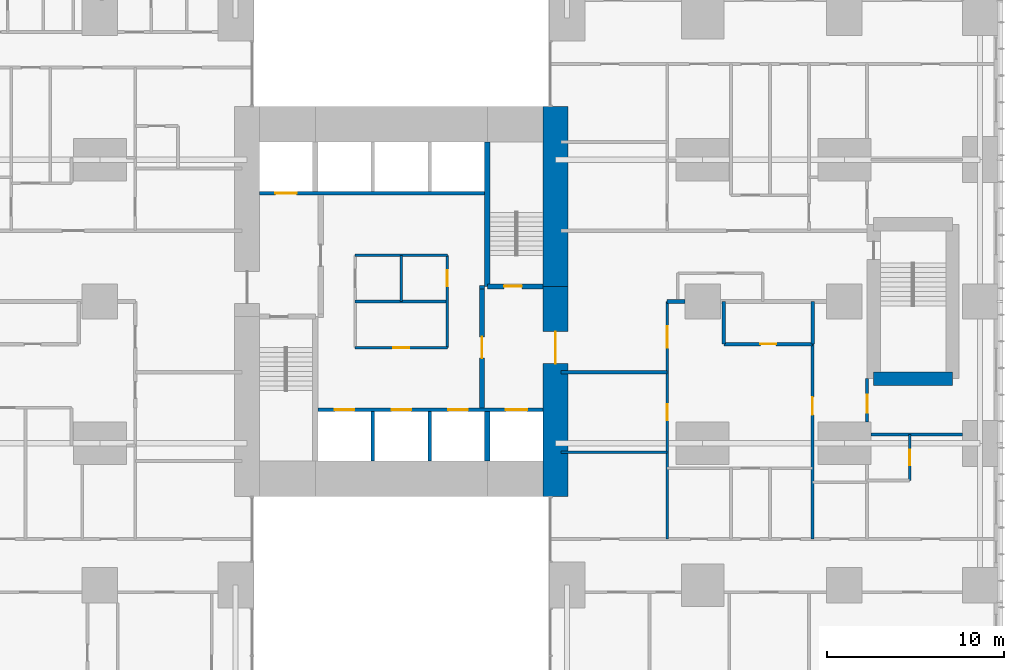
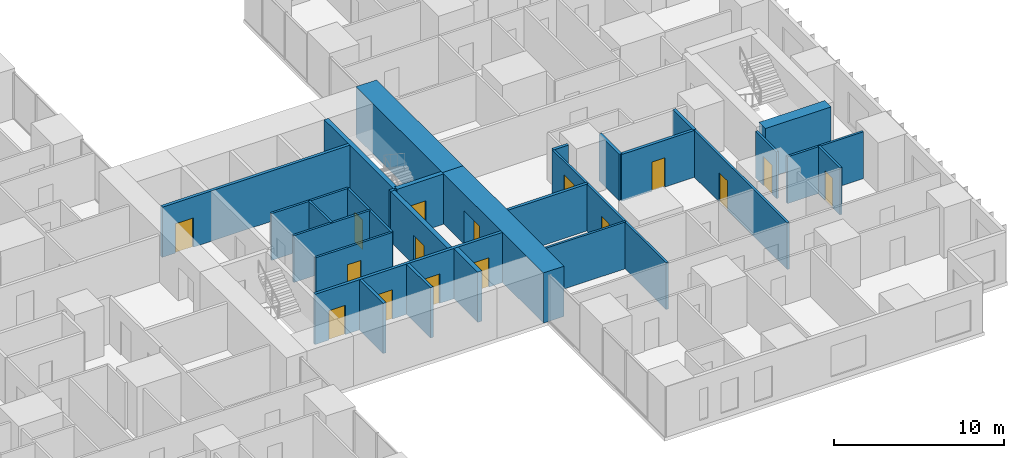
# One storey, part 15 of 20: 28 walls, 16 doors, 16 openings.
"""IFC4 building model written with IfcOpenShell, lengths in metres."""

from ifc_helpers import new_model, si_unit, direction, frame, frame_2d, origin, place, context, subcontext, project, spatial, rectangle, extrude, material, layer, layer_set, type_object, element, fill, save


model = new_model("IFC4")

# Units and contexts
model_context = context("Model", 3, precision=1e-05, world=origin(), true_north=direction((0.0, 1.0)))
body_context = subcontext(model_context, "Body", "Model", "MODEL_VIEW")
ifc_project = project(units=[si_unit("LENGTHUNIT", "METRE"), si_unit("AREAUNIT", "SQUARE_METRE"), si_unit("VOLUMEUNIT", "CUBIC_METRE"), si_unit("PLANEANGLEUNIT", "RADIAN"), si_unit("MASSUNIT", "GRAM", prefix="KILO")], contexts=[model_context])

# Site, building, storey
site_placement = place(None, origin())
site = spatial("IfcSite", under=ifc_project, at=site_placement, CompositionType="ELEMENT")
building_placement = place(site_placement, origin())
building = spatial("IfcBuilding", under=site, at=building_placement, Name="Cleftline Residences", CompositionType="ELEMENT")
storey_placement = place(building_placement, frame((0.0, 0.0, 107.0)))
storey = spatial("IfcBuildingStorey", under=building, at=storey_placement, Name="L27", CompositionType="ELEMENT", Elevation=107.0)

# Wall, opening, door
ifc_material_1 = material(Name="Concrete B70", Category="concrete")
ifc_layer_1 = layer(ifc_material_1, 1.39990234375)
ifc_layer_set_1 = layer_set([ifc_layer_1], Name="CORE WALL 1400")
wall_type_1 = type_object("IfcWallType", Name="CORE WALL 1400", PredefinedType="SHEAR", material=ifc_layer_set_1)
wall_1_placement = place(storey_placement, frame((41.699951171875, 13.0, 0.0), z_axis=(0.0, 0.0, 1.0), x_axis=(0.0, 1.0, 0.0)))
wall_1 = element("IfcWall", 1, at=wall_1_placement, inside=storey, type_object=wall_type_1, Name="Core wall E", PredefinedType="SHEAR", context=body_context, shape_type="SweptSolid", body=[
    extrude(rectangle(XDim=11.85009765625, YDim=1.39990234375, at=frame_2d((5.925048828125, 0.0))), origin(), (0.0, 0.0, 1.0), 3.60009765625),
])
opening_1_placement = place(wall_1_placement, frame((7.5, 0.0, 0.0)))
opening_1 = element("IfcOpeningElement", 2, at=opening_1_placement, cuts=wall_1, Name="Opening D7", PredefinedType="OPENING", context=body_context, shape_type="SweptSolid", body=[
    extrude(rectangle(XDim=1.800048828125, YDim=2.39990234375, at=frame_2d((0.89990234375, 1.199951171875))), frame((0.0, 0.7099609375, 0.0), z_axis=(0.0, -1.0, 0.0), x_axis=(1.0, 0.0, 0.0)), (0.0, 0.0, 1.0), 1.419921875),
])
ifc_material_2 = material(Name="Steel", Category="steel")
door_type_1 = type_object("IfcDoorType", Name="WING DOOR 1800X2400", OperationType="DOUBLE_DOOR_DOUBLE_SWING", PredefinedType="DOOR", material=ifc_material_2)
door_1_placement = place(opening_1_placement, origin())
door_1 = element("IfcDoor", 3, at=door_1_placement, inside=storey, type_object=door_type_1, Name="East wing door", OperationType="DOUBLE_DOOR_DOUBLE_SWING", OverallHeight=2.39990234375, OverallWidth=1.800048828125, PredefinedType="DOOR", context=body_context, shape_type="SweptSolid", body=[
    extrude(rectangle(XDim=1.800048828125, YDim=2.39990234375, at=frame_2d((0.89990234375, 1.199951171875))), frame((0.0, 0.02490234375, 0.0), z_axis=(0.0, -1.0, 0.0), x_axis=(1.0, 0.0, 0.0)), (0.0, 0.0, 1.0), 0.050048828125),
])
fill(opening_1, door_1)

# Walls
wall_2_placement = place(storey_placement, frame((41.699951171875, 24.85009765625, 0.0), z_axis=(0.0, 0.0, 1.0), x_axis=(0.0, 1.0, 0.0)))
element("IfcWall", 4, at=wall_2_placement, inside=storey, type_object=wall_type_1, Name="Core wall E1", PredefinedType="SHEAR", context=body_context, shape_type="SweptSolid", body=[
    extrude(rectangle(XDim=10.14990234375, YDim=1.39990234375, at=frame_2d((5.074951171875, 0.0))), origin(), (0.0, 0.0, 1.0), 3.60009765625),
])
ifc_material_3 = material(Name="Concrete B70", Category="concrete")
ifc_layer_2 = layer(ifc_material_3, 0.300048828125)
ifc_layer_set_2 = layer_set([ifc_layer_2], Name="CORE WALL 300")
wall_type_2 = type_object("IfcWallType", Name="CORE WALL 300", PredefinedType="SHEAR", material=ifc_layer_set_2)
wall_3_placement = place(storey_placement, frame((37.85009765625, 24.85009765625, 0.0), z_axis=(0.0, 0.0, 1.0), x_axis=(0.0, 1.0, 0.0)))
element("IfcWall", 5, at=wall_3_placement, inside=storey, type_object=wall_type_2, Name="Core wall SB-W", PredefinedType="SHEAR", context=body_context, shape_type="SweptSolid", body=[
    extrude(rectangle(XDim=8.14990234375, YDim=0.300048828125, at=frame_2d((4.074951171875, 0.0))), origin(), (0.0, 0.0, 1.0), 3.60009765625),
])

# Wall, opening, door
wall_4_placement = place(storey_placement, frame((37.85009765625, 24.85009765625, 0.0), z_axis=(0.0, 0.0, 1.0), x_axis=(1.0, 0.0, 0.0)))
wall_4 = element("IfcWall", 6, at=wall_4_placement, inside=storey, type_object=wall_type_2, Name="Core wall SB-S", PredefinedType="SHEAR", context=body_context, shape_type="SweptSolid", body=[
    extrude(rectangle(XDim=3.14990234375, YDim=0.300048828125, at=frame_2d((1.574951171875, 0.0))), origin(), (0.0, 0.0, 1.0), 3.60009765625),
])
opening_2_placement = place(wall_4_placement, frame((0.949951171875, 0.0, 0.0)))
opening_2 = element("IfcOpeningElement", 7, at=opening_2_placement, cuts=wall_4, Name="Opening D5", PredefinedType="OPENING", context=body_context, shape_type="SweptSolid", body=[
    extrude(rectangle(XDim=1.0, YDim=2.10009765625, at=frame_2d((0.5, 1.050048828125))), frame((0.0, 0.159912109375, 0.0), z_axis=(0.0, -1.0, 0.0), x_axis=(1.0, 0.0, 0.0)), (0.0, 0.0, 1.0), 0.320068359375),
])
ifc_material_4 = material(Name="Steel", Category="steel")
door_type_2 = type_object("IfcDoorType", Name="STAIR DOOR 1000X2100", OperationType="SINGLE_SWING_LEFT", PredefinedType="DOOR", material=ifc_material_4)
door_2_placement = place(opening_2_placement, origin())
door_2 = element("IfcDoor", 8, at=door_2_placement, inside=storey, type_object=door_type_2, Name="Stair B door", OperationType="SINGLE_SWING_RIGHT", OverallHeight=2.10009765625, OverallWidth=1.0, PredefinedType="DOOR", context=body_context, shape_type="SweptSolid", body=[
    extrude(rectangle(XDim=1.0, YDim=2.10009765625, at=frame_2d((0.5, 1.050048828125))), frame((0.0, 0.02490234375, 0.0), z_axis=(0.0, -1.0, 0.0), x_axis=(1.0, 0.0, 0.0)), (0.0, 0.0, 1.0), 0.050048828125),
])
fill(opening_2, door_2)

# Walls
wall_5_placement = place(storey_placement, frame((37.85009765625, 15.0, 0.0), z_axis=(0.0, 0.0, 1.0), x_axis=(0.0, 1.0, 0.0)))
element("IfcWall", 9, at=wall_5_placement, inside=storey, type_object=wall_type_2, Name="Lift shaft wall", PredefinedType="SHEAR", context=body_context, shape_type="SweptSolid", body=[
    extrude(rectangle(XDim=2.800048828125, YDim=0.300048828125, at=frame_2d((1.39990234375, 0.0))), origin(), (0.0, 0.0, 1.0), 3.60009765625),
])
ifc_material_5 = material(Name="Concrete blockwork, fire rated", Category="masonry")
ifc_layer_3 = layer(ifc_material_5, 0.199951171875)
ifc_layer_set_3 = layer_set([ifc_layer_3], Name="FIRE WALL 200")
wall_type_3 = type_object("IfcWallType", Name="FIRE WALL 200", PredefinedType="PARTITIONING", material=ifc_layer_set_3)
wall_6_placement = place(storey_placement, frame((42.0, 20.0, 0.0), z_axis=(0.0, 0.0, 1.0), x_axis=(1.0, 0.0, 0.0)))
element("IfcWall", 10, at=wall_6_placement, inside=storey, type_object=wall_type_3, Name="Fire separating wall", PredefinedType="PARTITIONING", context=body_context, shape_type="SweptSolid", body=[
    extrude(rectangle(XDim=6.0, YDim=0.199951171875, at=frame_2d((3.0, 0.0))), origin(), (0.0, 0.0, 1.0), 3.35009765625),
])

# Wall, opening, door
wall_7_placement = place(storey_placement, frame((51.199951171875, 21.60009765625, 0.0), z_axis=(0.0, 0.0, 1.0), x_axis=(1.0, 0.0, 0.0)))
wall_7 = element("IfcWall", 11, at=wall_7_placement, inside=storey, type_object=wall_type_3, Name="Fire separating wall", PredefinedType="PARTITIONING", context=body_context, shape_type="SweptSolid", body=[
    extrude(rectangle(XDim=5.0, YDim=0.199951171875, at=frame_2d((2.5, 0.0))), origin(), (0.0, 0.0, 1.0), 3.35009765625),
])
opening_3_placement = place(wall_7_placement, frame((2.050048828125, 0.0, 0.0)))
opening_3 = element("IfcOpeningElement", 12, at=opening_3_placement, cuts=wall_7, Name="Opening D1F30", PredefinedType="OPENING", context=body_context, shape_type="SweptSolid", body=[
    extrude(rectangle(XDim=0.89990234375, YDim=2.10009765625, at=frame_2d((0.449951171875, 1.050048828125))), frame((0.0, 0.10986328125, 0.0), z_axis=(0.0, -1.0, 0.0), x_axis=(1.0, 0.0, 0.0)), (0.0, 0.0, 1.0), 0.219970703125),
])
ifc_material_6 = material(Name="Timber veneer on solid core", Category="wood")
door_type_3 = type_object("IfcDoorType", Name="DOOR 900X2100 EI 30", OperationType="SINGLE_SWING_LEFT", PredefinedType="DOOR", material=ifc_material_6)
door_3_placement = place(opening_3_placement, origin())
door_3 = element("IfcDoor", 13, at=door_3_placement, inside=storey, type_object=door_type_3, Name="Door to cloakroom wc", OperationType="SINGLE_SWING_LEFT", OverallHeight=2.10009765625, OverallWidth=0.89990234375, PredefinedType="DOOR", context=body_context, shape_type="SweptSolid", body=[
    extrude(rectangle(XDim=0.89990234375, YDim=2.10009765625, at=frame_2d((0.449951171875, 1.050048828125))), frame((0.0, 0.02490234375, 0.0), z_axis=(0.0, -1.0, 0.0), x_axis=(1.0, 0.0, 0.0)), (0.0, 0.0, 1.0), 0.050048828125),
])
fill(opening_3, door_3)

# Walls
wall_8_placement = place(storey_placement, frame((48.0, 24.0, 0.0), z_axis=(0.0, 0.0, 1.0), x_axis=(1.0, 0.0, 0.0)))
element("IfcWall", 14, at=wall_8_placement, inside=storey, type_object=wall_type_3, Name="Fire separating wall", PredefinedType="PARTITIONING", context=body_context, shape_type="SweptSolid", body=[
    extrude(rectangle(XDim=1.0, YDim=0.199951171875, at=frame_2d((0.5, 0.0))), origin(), (0.0, 0.0, 1.0), 3.35009765625),
])
for number, where, z_axis, x_axis, name in (
    (15, (51.199951171875, 21.60009765625, 0.0), (0.0, 0.0, 1.0), (0.0, 1.0, 0.0), "Fire separating wall"),
    (16, (56.199951171875, 21.60009765625, 0.0), (0.0, 0.0, 1.0), (0.0, 1.0, 0.0), "Fire separating wall"),
):
    element("IfcWall", number, at=place(storey_placement, frame(where, z_axis=z_axis, x_axis=x_axis)), inside=storey, type_object=wall_type_3, Name=name, PredefinedType="PARTITIONING", context=body_context, shape_type="SweptSolid", body=[
        extrude(rectangle(XDim=2.39990234375, YDim=0.199951171875, at=frame_2d((1.199951171875, 0.0))), origin(), (0.0, 0.0, 1.0), 3.35009765625),
    ])
wall_9_placement = place(storey_placement, frame((37.39990234375, 24.800048828125, 0.0), z_axis=(0.0, 0.0, 1.0), x_axis=(1.0, 0.0, 0.0)))
element("IfcWall", 17, at=wall_9_placement, inside=storey, type_object=wall_type_3, Name="Fire separating wall", PredefinedType="PARTITIONING", context=body_context, shape_type="SweptSolid", body=[
    extrude(rectangle(XDim=0.300048828125, YDim=0.199951171875, at=frame_2d((0.14990234375, 0.0))), origin(), (0.0, 0.0, 1.0), 3.60009765625),
])
ifc_material_7 = material(Name="Gypsum board on steel studs", Category="steel")
ifc_layer_4 = layer(ifc_material_7, 0.14990234375)
ifc_layer_set_4 = layer_set([ifc_layer_4], Name="PARTITION 150")
wall_type_4 = type_object("IfcWallType", Name="PARTITION 150", PredefinedType="PARTITIONING", material=ifc_layer_set_4)
wall_10_placement = place(storey_placement, frame((42.0, 15.5, 0.0), z_axis=(0.0, 0.0, 1.0), x_axis=(1.0, 0.0, 0.0)))
element("IfcWall", 18, at=wall_10_placement, inside=storey, type_object=wall_type_4, Name="Partition", PredefinedType="PARTITIONING", context=body_context, shape_type="SweptSolid", body=[
    extrude(rectangle(XDim=6.0, YDim=0.14990234375, at=frame_2d((3.0, 0.0))), origin(), (0.0, 0.0, 1.0), 3.35009765625),
])
wall_11_placement = place(storey_placement, frame((59.5, 16.5, 0.0), z_axis=(0.0, 0.0, 1.0), x_axis=(1.0, 0.0, 0.0)))
element("IfcWall", 19, at=wall_11_placement, inside=storey, type_object=wall_type_4, Name="Partition", PredefinedType="PARTITIONING", context=body_context, shape_type="SweptSolid", body=[
    extrude(rectangle(XDim=5.14990234375, YDim=0.14990234375, at=frame_2d((2.574951171875, 0.0))), origin(), (0.0, 0.0, 1.0), 3.35009765625),
])

# Wall, openings, doors
wall_12_placement = place(storey_placement, frame((48.0, 10.60009765625, 0.0), z_axis=(0.0, 0.0, 1.0), x_axis=(0.0, 1.0, 0.0)))
wall_12 = element("IfcWall", 20, at=wall_12_placement, inside=storey, type_object=wall_type_4, Name="Partition", PredefinedType="PARTITIONING", context=body_context, shape_type="SweptSolid", body=[
    extrude(rectangle(XDim=13.39990234375, YDim=0.14990234375, at=frame_2d((6.699951171875, 0.0))), origin(), (0.0, 0.0, 1.0), 3.35009765625),
])
opening_4_placement = place(wall_12_placement, frame((10.800048828125, 0.0, 0.0)))
opening_4 = element("IfcOpeningElement", 21, at=opening_4_placement, cuts=wall_12, Name="Opening D4", PredefinedType="OPENING", context=body_context, shape_type="SweptSolid", body=[
    extrude(rectangle(XDim=1.199951171875, YDim=2.39990234375, at=frame_2d((0.60009765625, 1.199951171875))), frame((0.0, 0.0849609375, 0.0), z_axis=(0.0, -1.0, 0.0), x_axis=(1.0, 0.0, 0.0)), (0.0, 0.0, 1.0), 0.169921875),
])
opening_5_placement = place(wall_12_placement, frame((6.699951171875, 0.0, 0.0)))
opening_5 = element("IfcOpeningElement", 22, at=opening_5_placement, cuts=wall_12, Name="Opening D1F60", PredefinedType="OPENING", context=body_context, shape_type="SweptSolid", body=[
    extrude(rectangle(XDim=0.89990234375, YDim=2.10009765625, at=frame_2d((0.449951171875, 1.050048828125))), frame((0.0, 0.0849609375, 0.0), z_axis=(0.0, -1.0, 0.0), x_axis=(1.0, 0.0, 0.0)), (0.0, 0.0, 1.0), 0.169921875),
])
ifc_material_8 = material(Name="Timber veneer on solid core", Category="wood")
door_type_4 = type_object("IfcDoorType", Name="APARTMENT ENTRANCE DOOR 1200X2400", OperationType="SINGLE_SWING_RIGHT", PredefinedType="DOOR", material=ifc_material_8)
door_4_placement = place(opening_4_placement, origin())
door_4 = element("IfcDoor", 23, at=door_4_placement, inside=storey, type_object=door_type_4, Name="Door to residence entrance foyer", OperationType="SINGLE_SWING_LEFT", OverallHeight=2.39990234375, OverallWidth=1.199951171875, PredefinedType="DOOR", context=body_context, shape_type="SweptSolid", body=[
    extrude(rectangle(XDim=1.199951171875, YDim=2.39990234375, at=frame_2d((0.60009765625, 1.199951171875))), frame((0.0, 0.02490234375, 0.0), z_axis=(0.0, -1.0, 0.0), x_axis=(1.0, 0.0, 0.0)), (0.0, 0.0, 1.0), 0.050048828125),
])
fill(opening_4, door_4)
ifc_material_9 = material(Name="Timber veneer on solid core", Category="wood")
door_type_5 = type_object("IfcDoorType", Name="DOOR 900X2100 EI 60", OperationType="SINGLE_SWING_LEFT", PredefinedType="DOOR", material=ifc_material_9)
door_5_placement = place(opening_5_placement, origin())
door_5 = element("IfcDoor", 24, at=door_5_placement, inside=storey, type_object=door_type_5, Name="Door to utility room", OperationType="SINGLE_SWING_LEFT", OverallHeight=2.10009765625, OverallWidth=0.89990234375, PredefinedType="DOOR", context=body_context, shape_type="SweptSolid", body=[
    extrude(rectangle(XDim=0.89990234375, YDim=2.10009765625, at=frame_2d((0.449951171875, 1.050048828125))), frame((0.0, 0.02490234375, 0.0), z_axis=(0.0, -1.0, 0.0), x_axis=(1.0, 0.0, 0.0)), (0.0, 0.0, 1.0), 0.050048828125),
])
fill(opening_5, door_5)

# Wall, opening, door
wall_13_placement = place(storey_placement, frame((56.199951171875, 10.60009765625, 0.0), z_axis=(0.0, 0.0, 1.0), x_axis=(0.0, 1.0, 0.0)))
wall_13 = element("IfcWall", 25, at=wall_13_placement, inside=storey, type_object=wall_type_4, Name="Partition", PredefinedType="PARTITIONING", context=body_context, shape_type="SweptSolid", body=[
    extrude(rectangle(XDim=11.0, YDim=0.14990234375, at=frame_2d((5.5, 0.0))), origin(), (0.0, 0.0, 1.0), 3.35009765625),
])
opening_6_placement = place(wall_13_placement, frame((7.0, 0.0, 0.0)))
opening_6 = element("IfcOpeningElement", 26, at=opening_6_placement, cuts=wall_13, Name="Opening D2F30", PredefinedType="OPENING", context=body_context, shape_type="SweptSolid", body=[
    extrude(rectangle(XDim=1.0, YDim=2.10009765625, at=frame_2d((0.5, 1.050048828125))), frame((0.0, 0.0849609375, 0.0), z_axis=(0.0, -1.0, 0.0), x_axis=(1.0, 0.0, 0.0)), (0.0, 0.0, 1.0), 0.169921875),
])
ifc_material_10 = material(Name="Timber veneer on solid core", Category="wood")
door_type_6 = type_object("IfcDoorType", Name="DOOR 1000X2100 EI 30", OperationType="SINGLE_SWING_LEFT", PredefinedType="DOOR", material=ifc_material_10)
door_6_placement = place(opening_6_placement, origin())
door_6 = element("IfcDoor", 27, at=door_6_placement, inside=storey, type_object=door_type_6, Name="Door to residence lobby", OperationType="SINGLE_SWING_LEFT", OverallHeight=2.10009765625, OverallWidth=1.0, PredefinedType="DOOR", context=body_context, shape_type="SweptSolid", body=[
    extrude(rectangle(XDim=1.0, YDim=2.10009765625, at=frame_2d((0.5, 1.050048828125))), frame((0.0, 0.02490234375, 0.0), z_axis=(0.0, -1.0, 0.0), x_axis=(1.0, 0.0, 0.0)), (0.0, 0.0, 1.0), 0.050048828125),
])
fill(opening_6, door_6)

wall_14_placement = place(storey_placement, frame((59.27490234375, 17.199951171875, 0.0), z_axis=(0.0, 0.0, 1.0), x_axis=(0.0, 1.0, 0.0)))
wall_14 = element("IfcWall", 28, at=wall_14_placement, inside=storey, type_object=wall_type_4, Name="Partition", PredefinedType="PARTITIONING", context=body_context, shape_type="SweptSolid", body=[
    extrude(rectangle(XDim=2.449951171875, YDim=0.14990234375, at=frame_2d((1.22509765625, 0.0))), origin(), (0.0, 0.0, 1.0), 3.35009765625),
])
opening_7_placement = place(wall_14_placement, frame((0.53759765625, 0.0, 0.0)))
opening_7 = element("IfcOpeningElement", 29, at=opening_7_placement, cuts=wall_14, Name="Opening D2", PredefinedType="OPENING", context=body_context, shape_type="SweptSolid", body=[
    extrude(rectangle(XDim=1.0, YDim=2.10009765625, at=frame_2d((0.5, 1.050048828125))), frame((0.0, 0.0849609375, 0.0), z_axis=(0.0, -1.0, 0.0), x_axis=(1.0, 0.0, 0.0)), (0.0, 0.0, 1.0), 0.169921875),
])
ifc_material_11 = material(Name="Timber veneer on solid core", Category="wood")
door_type_7 = type_object("IfcDoorType", Name="DOOR 1000X2100", OperationType="SINGLE_SWING_LEFT", PredefinedType="DOOR", material=ifc_material_11)
door_7_placement = place(opening_7_placement, origin())
door_7 = element("IfcDoor", 30, at=door_7_placement, inside=storey, type_object=door_type_7, Name="Door to bedroom 2", OperationType="SINGLE_SWING_RIGHT", OverallHeight=2.10009765625, OverallWidth=1.0, PredefinedType="DOOR", context=body_context, shape_type="SweptSolid", body=[
    extrude(rectangle(XDim=1.0, YDim=2.10009765625, at=frame_2d((0.5, 1.050048828125))), frame((0.0, 0.02490234375, 0.0), z_axis=(0.0, -1.0, 0.0), x_axis=(1.0, 0.0, 0.0)), (0.0, 0.0, 1.0), 0.050048828125),
])
fill(opening_7, door_7)

wall_15_placement = place(storey_placement, frame((61.675048828125, 13.89990234375, 0.0), z_axis=(0.0, 0.0, 1.0), x_axis=(0.0, 1.0, 0.0)))
wall_15 = element("IfcWall", 31, at=wall_15_placement, inside=storey, type_object=wall_type_4, Name="Partition", PredefinedType="PARTITIONING", context=body_context, shape_type="SweptSolid", body=[
    extrude(rectangle(XDim=2.60009765625, YDim=0.14990234375, at=frame_2d((1.300048828125, 0.0))), origin(), (0.0, 0.0, 1.0), 3.35009765625),
])
opening_8_placement = place(wall_15_placement, frame((0.85009765625, 0.0, 0.0)))
opening_8 = element("IfcOpeningElement", 32, at=opening_8_placement, cuts=wall_15, Name="Opening D1", PredefinedType="OPENING", context=body_context, shape_type="SweptSolid", body=[
    extrude(rectangle(XDim=0.89990234375, YDim=2.10009765625, at=frame_2d((0.449951171875, 1.050048828125))), frame((0.0, 0.0849609375, 0.0), z_axis=(0.0, -1.0, 0.0), x_axis=(1.0, 0.0, 0.0)), (0.0, 0.0, 1.0), 0.169921875),
])
ifc_material_12 = material(Name="Timber veneer on solid core", Category="wood")
door_type_8 = type_object("IfcDoorType", Name="DOOR 900X2100", OperationType="SINGLE_SWING_LEFT", PredefinedType="DOOR", material=ifc_material_12)
door_8_placement = place(opening_8_placement, origin())
door_8 = element("IfcDoor", 33, at=door_8_placement, inside=storey, type_object=door_type_8, Name="Door to master bathroom", OperationType="SINGLE_SWING_LEFT", OverallHeight=2.10009765625, OverallWidth=0.89990234375, PredefinedType="DOOR", context=body_context, shape_type="SweptSolid", body=[
    extrude(rectangle(XDim=0.89990234375, YDim=2.10009765625, at=frame_2d((0.449951171875, 1.050048828125))), frame((0.0, 0.02490234375, 0.0), z_axis=(0.0, -1.0, 0.0), x_axis=(1.0, 0.0, 0.0)), (0.0, 0.0, 1.0), 0.050048828125),
])
fill(opening_8, door_8)

ifc_material_13 = material(Name="Fire-resisting gypsum board on steel studs", Category="steel")
ifc_layer_5 = layer(ifc_material_13, 0.14990234375)
ifc_layer_set_5 = layer_set([ifc_layer_5], Name="PARTITION 150 EI 60")
wall_type_5 = type_object("IfcWallType", Name="PARTITION 150 EI 60", PredefinedType="PARTITIONING", material=ifc_layer_set_5)
wall_16_placement = place(storey_placement, frame((30.39990234375, 21.39990234375, 0.0), z_axis=(0.0, 0.0, 1.0), x_axis=(1.0, 0.0, 0.0)))
wall_16 = element("IfcWall", 34, at=wall_16_placement, inside=storey, type_object=wall_type_5, Name="Core room partition", PredefinedType="PARTITIONING", context=body_context, shape_type="SweptSolid", body=[
    extrude(rectangle(XDim=5.2001953125, YDim=0.14990234375, at=frame_2d((2.60009765625, 0.0))), origin(), (0.0, 0.0, 1.0), 3.35009765625),
])
opening_9_placement = place(wall_16_placement, frame((2.14990234375, 0.0, 0.0)))
opening_9 = element("IfcOpeningElement", 35, at=opening_9_placement, cuts=wall_16, Name="Opening D1F30", PredefinedType="OPENING", context=body_context, shape_type="SweptSolid", body=[
    extrude(rectangle(XDim=0.89990234375, YDim=2.10009765625, at=frame_2d((0.449951171875, 1.050048828125))), frame((0.0, 0.0849609375, 0.0), z_axis=(0.0, -1.0, 0.0), x_axis=(1.0, 0.0, 0.0)), (0.0, 0.0, 1.0), 0.169921875),
])
door_9_placement = place(opening_9_placement, origin())
door_9 = element("IfcDoor", 36, at=door_9_placement, inside=storey, type_object=door_type_3, Name="Door to cleaner's store", OperationType="SINGLE_SWING_LEFT", OverallHeight=2.10009765625, OverallWidth=0.89990234375, PredefinedType="DOOR", context=body_context, shape_type="SweptSolid", body=[
    extrude(rectangle(XDim=0.89990234375, YDim=2.10009765625, at=frame_2d((0.449951171875, 1.050048828125))), frame((0.0, 0.02490234375, 0.0), z_axis=(0.0, -1.0, 0.0), x_axis=(1.0, 0.0, 0.0)), (0.0, 0.0, 1.0), 0.050048828125),
])
fill(opening_9, door_9)

# Wall
wall_17_placement = place(storey_placement, frame((30.39990234375, 26.60009765625, 0.0), z_axis=(0.0, 0.0, 1.0), x_axis=(1.0, 0.0, 0.0)))
element("IfcWall", 37, at=wall_17_placement, inside=storey, type_object=wall_type_5, Name="Core room partition", PredefinedType="PARTITIONING", context=body_context, shape_type="SweptSolid", body=[
    extrude(rectangle(XDim=5.2001953125, YDim=0.14990234375, at=frame_2d((2.60009765625, 0.0))), origin(), (0.0, 0.0, 1.0), 3.35009765625),
])

# Wall, opening, door
wall_18_placement = place(storey_placement, frame((35.60009765625, 21.39990234375, 0.0), z_axis=(0.0, 0.0, 1.0), x_axis=(0.0, 1.0, 0.0)))
wall_18 = element("IfcWall", 38, at=wall_18_placement, inside=storey, type_object=wall_type_5, Name="Core room partition", PredefinedType="PARTITIONING", context=body_context, shape_type="SweptSolid", body=[
    extrude(rectangle(XDim=5.2001953125, YDim=0.14990234375, at=frame_2d((2.60009765625, 0.0))), origin(), (0.0, 0.0, 1.0), 3.35009765625),
])
opening_10_placement = place(wall_18_placement, frame((3.449951171875, 0.0, 0.0)))
opening_10 = element("IfcOpeningElement", 39, at=opening_10_placement, cuts=wall_18, Name="Opening D1F30", PredefinedType="OPENING", context=body_context, shape_type="SweptSolid", body=[
    extrude(rectangle(XDim=0.89990234375, YDim=2.10009765625, at=frame_2d((0.449951171875, 1.050048828125))), frame((0.0, 0.0849609375, 0.0), z_axis=(0.0, -1.0, 0.0), x_axis=(1.0, 0.0, 0.0)), (0.0, 0.0, 1.0), 0.169921875),
])
door_10_placement = place(opening_10_placement, origin())
door_10 = element("IfcDoor", 40, at=door_10_placement, inside=storey, type_object=door_type_3, Name="Door to maintenance store", OperationType="SINGLE_SWING_LEFT", OverallHeight=2.10009765625, OverallWidth=0.89990234375, PredefinedType="DOOR", context=body_context, shape_type="SweptSolid", body=[
    extrude(rectangle(XDim=0.89990234375, YDim=2.10009765625, at=frame_2d((0.449951171875, 1.050048828125))), frame((0.0, 0.02490234375, 0.0), z_axis=(0.0, -1.0, 0.0), x_axis=(1.0, 0.0, 0.0)), (0.0, 0.0, 1.0), 0.050048828125),
])
fill(opening_10, door_10)

# Walls
wall_19_placement = place(storey_placement, frame((30.39990234375, 24.0, 0.0), z_axis=(0.0, 0.0, 1.0), x_axis=(1.0, 0.0, 0.0)))
element("IfcWall", 41, at=wall_19_placement, inside=storey, type_object=wall_type_5, Name="Core room partition", PredefinedType="PARTITIONING", context=body_context, shape_type="SweptSolid", body=[
    extrude(rectangle(XDim=5.2001953125, YDim=0.14990234375, at=frame_2d((2.60009765625, 0.0))), origin(), (0.0, 0.0, 1.0), 3.35009765625),
])
wall_20_placement = place(storey_placement, frame((33.0, 24.0, 0.0), z_axis=(0.0, 0.0, 1.0), x_axis=(0.0, 1.0, 0.0)))
element("IfcWall", 42, at=wall_20_placement, inside=storey, type_object=wall_type_5, Name="Core room partition", PredefinedType="PARTITIONING", context=body_context, shape_type="SweptSolid", body=[
    extrude(rectangle(XDim=2.60009765625, YDim=0.14990234375, at=frame_2d((1.300048828125, 0.0))), origin(), (0.0, 0.0, 1.0), 3.35009765625),
])

# Wall, openings, doors
ifc_material_14 = material(Name="Concrete blockwork, fire rated", Category="masonry")
ifc_layer_6 = layer(ifc_material_14, 0.199951171875)
ifc_layer_set_6 = layer_set([ifc_layer_6], Name="SHAFT WALL 200")
wall_type_6 = type_object("IfcWallType", Name="SHAFT WALL 200", PredefinedType="PARTITIONING", material=ifc_layer_set_6)
wall_21_placement = place(storey_placement, frame((28.300048828125, 17.89990234375, 0.0), z_axis=(0.0, 0.0, 1.0), x_axis=(1.0, 0.0, 0.0)))
wall_21 = element("IfcWall", 43, at=wall_21_placement, inside=storey, type_object=wall_type_6, Name="Lift shaft wall", PredefinedType="PARTITIONING", context=body_context, shape_type="SweptSolid", body=[
    extrude(rectangle(XDim=12.699951171875, YDim=0.199951171875, at=frame_2d((6.35009765625, 0.0))), origin(), (0.0, 0.0, 1.0), 3.60009765625),
])
opening_11_placement = place(wall_21_placement, frame((0.949951171875, 0.0, 0.0)))
opening_11 = element("IfcOpeningElement", 44, at=opening_11_placement, cuts=wall_21, Name="Opening LD1", PredefinedType="OPENING", context=body_context, shape_type="SweptSolid", body=[
    extrude(rectangle(XDim=1.10009765625, YDim=2.10009765625, at=frame_2d((0.550048828125, 1.050048828125))), frame((0.0, 0.10986328125, 0.0), z_axis=(0.0, -1.0, 0.0), x_axis=(1.0, 0.0, 0.0)), (0.0, 0.0, 1.0), 0.219970703125),
])
opening_12_placement = place(wall_21_placement, frame((4.14990234375, 0.0, 0.0)))
opening_12 = element("IfcOpeningElement", 45, at=opening_12_placement, cuts=wall_21, Name="Opening LD1", PredefinedType="OPENING", context=body_context, shape_type="SweptSolid", body=[
    extrude(rectangle(XDim=1.10009765625, YDim=2.10009765625, at=frame_2d((0.550048828125, 1.050048828125))), frame((0.0, 0.10986328125, 0.0), z_axis=(0.0, -1.0, 0.0), x_axis=(1.0, 0.0, 0.0)), (0.0, 0.0, 1.0), 0.219970703125),
])
opening_13_placement = place(wall_21_placement, frame((7.35009765625, 0.0, 0.0)))
opening_13 = element("IfcOpeningElement", 46, at=opening_13_placement, cuts=wall_21, Name="Opening LD1", PredefinedType="OPENING", context=body_context, shape_type="SweptSolid", body=[
    extrude(rectangle(XDim=1.10009765625, YDim=2.10009765625, at=frame_2d((0.550048828125, 1.050048828125))), frame((0.0, 0.10986328125, 0.0), z_axis=(0.0, -1.0, 0.0), x_axis=(1.0, 0.0, 0.0)), (0.0, 0.0, 1.0), 0.219970703125),
])
opening_14_placement = place(wall_21_placement, frame((10.60009765625, 0.0, 0.0)))
opening_14 = element("IfcOpeningElement", 47, at=opening_14_placement, cuts=wall_21, Name="Opening LD2", PredefinedType="OPENING", context=body_context, shape_type="SweptSolid", body=[
    extrude(rectangle(XDim=1.199951171875, YDim=2.10009765625, at=frame_2d((0.60009765625, 1.050048828125))), frame((0.0, 0.10986328125, 0.0), z_axis=(0.0, -1.0, 0.0), x_axis=(1.0, 0.0, 0.0)), (0.0, 0.0, 1.0), 0.219970703125),
])
ifc_material_15 = material(Name="Steel", Category="steel")
door_type_9 = type_object("IfcDoorType", Name="FIREFIGHTING LIFT LANDING DOOR 1200X2100", OperationType="SLIDING_TO_LEFT", PredefinedType="DOOR", material=ifc_material_15)
door_11_placement = place(opening_14_placement, origin())
door_11 = element("IfcDoor", 48, at=door_11_placement, inside=storey, type_object=door_type_9, Name="Lift FL2 landing door", OperationType="SLIDING_TO_LEFT", OverallHeight=2.10009765625, OverallWidth=1.199951171875, PredefinedType="DOOR", context=body_context, shape_type="SweptSolid", body=[
    extrude(rectangle(XDim=1.199951171875, YDim=2.10009765625, at=frame_2d((0.60009765625, 1.050048828125))), frame((0.0, 0.02490234375, 0.0), z_axis=(0.0, -1.0, 0.0), x_axis=(1.0, 0.0, 0.0)), (0.0, 0.0, 1.0), 0.050048828125),
])
fill(opening_14, door_11)
ifc_material_16 = material(Name="Steel", Category="steel")
door_type_10 = type_object("IfcDoorType", Name="LIFT LANDING DOOR 1100X2100", OperationType="SLIDING_TO_LEFT", PredefinedType="DOOR", material=ifc_material_16)
door_12_placement = place(opening_11_placement, origin())
door_12 = element("IfcDoor", 49, at=door_12_placement, inside=storey, type_object=door_type_10, Name="Lift P1 landing door", OperationType="SLIDING_TO_LEFT", OverallHeight=2.10009765625, OverallWidth=1.10009765625, PredefinedType="DOOR", context=body_context, shape_type="SweptSolid", body=[
    extrude(rectangle(XDim=1.10009765625, YDim=2.10009765625, at=frame_2d((0.550048828125, 1.050048828125))), frame((0.0, 0.02490234375, 0.0), z_axis=(0.0, -1.0, 0.0), x_axis=(1.0, 0.0, 0.0)), (0.0, 0.0, 1.0), 0.050048828125),
])
fill(opening_11, door_12)
door_13_placement = place(opening_12_placement, origin())
door_13 = element("IfcDoor", 50, at=door_13_placement, inside=storey, type_object=door_type_10, Name="Lift P2 landing door", OperationType="SLIDING_TO_LEFT", OverallHeight=2.10009765625, OverallWidth=1.10009765625, PredefinedType="DOOR", context=body_context, shape_type="SweptSolid", body=[
    extrude(rectangle(XDim=1.10009765625, YDim=2.10009765625, at=frame_2d((0.550048828125, 1.050048828125))), frame((0.0, 0.02490234375, 0.0), z_axis=(0.0, -1.0, 0.0), x_axis=(1.0, 0.0, 0.0)), (0.0, 0.0, 1.0), 0.050048828125),
])
fill(opening_12, door_13)
door_14_placement = place(opening_13_placement, origin())
door_14 = element("IfcDoor", 51, at=door_14_placement, inside=storey, type_object=door_type_10, Name="Lift P3 landing door", OperationType="SLIDING_TO_LEFT", OverallHeight=2.10009765625, OverallWidth=1.10009765625, PredefinedType="DOOR", context=body_context, shape_type="SweptSolid", body=[
    extrude(rectangle(XDim=1.10009765625, YDim=2.10009765625, at=frame_2d((0.550048828125, 1.050048828125))), frame((0.0, 0.02490234375, 0.0), z_axis=(0.0, -1.0, 0.0), x_axis=(1.0, 0.0, 0.0)), (0.0, 0.0, 1.0), 0.050048828125),
])
fill(opening_13, door_14)

# Wall, opening, door
wall_22_placement = place(storey_placement, frame((25.0, 30.10009765625, 0.0), z_axis=(0.0, 0.0, 1.0), x_axis=(1.0, 0.0, 0.0)))
wall_22 = element("IfcWall", 52, at=wall_22_placement, inside=storey, type_object=wall_type_6, Name="Lift shaft wall", PredefinedType="PARTITIONING", context=body_context, shape_type="SweptSolid", body=[
    extrude(rectangle(XDim=12.699951171875, YDim=0.199951171875, at=frame_2d((6.35009765625, 0.0))), origin(), (0.0, 0.0, 1.0), 3.60009765625),
])
opening_15_placement = place(wall_22_placement, frame((0.89990234375, 0.0, 0.0)))
opening_15 = element("IfcOpeningElement", 53, at=opening_15_placement, cuts=wall_22, Name="Opening LD2", PredefinedType="OPENING", context=body_context, shape_type="SweptSolid", body=[
    extrude(rectangle(XDim=1.199951171875, YDim=2.10009765625, at=frame_2d((0.60009765625, 1.050048828125))), frame((0.0, 0.10986328125, 0.0), z_axis=(0.0, -1.0, 0.0), x_axis=(1.0, 0.0, 0.0)), (0.0, 0.0, 1.0), 0.219970703125),
])
door_15_placement = place(opening_15_placement, origin())
door_15 = element("IfcDoor", 54, at=door_15_placement, inside=storey, type_object=door_type_9, Name="Lift FL1 landing door", OperationType="SLIDING_TO_LEFT", OverallHeight=2.10009765625, OverallWidth=1.199951171875, PredefinedType="DOOR", context=body_context, shape_type="SweptSolid", body=[
    extrude(rectangle(XDim=1.199951171875, YDim=2.10009765625, at=frame_2d((0.60009765625, 1.050048828125))), frame((0.0, 0.02490234375, 0.0), z_axis=(0.0, -1.0, 0.0), x_axis=(1.0, 0.0, 0.0)), (0.0, 0.0, 1.0), 0.050048828125),
])
fill(opening_15, door_15)

# Walls
for number, where, z_axis, x_axis, name in (
    (55, (31.39990234375, 15.0, 0.0), (0.0, 0.0, 1.0), (0.0, 1.0, 0.0), "Lift shaft wall"),
    (56, (34.60009765625, 15.0, 0.0), (0.0, 0.0, 1.0), (0.0, 1.0, 0.0), "Lift shaft wall"),
):
    element("IfcWall", number, at=place(storey_placement, frame(where, z_axis=z_axis, x_axis=x_axis)), inside=storey, type_object=wall_type_6, Name=name, PredefinedType="PARTITIONING", context=body_context, shape_type="SweptSolid", body=[
        extrude(rectangle(XDim=2.800048828125, YDim=0.199951171875, at=frame_2d((1.39990234375, 0.0))), origin(), (0.0, 0.0, 1.0), 3.60009765625),
    ])
ifc_material_17 = material(Name="Concrete B70", Category="concrete")
ifc_layer_7 = layer(ifc_material_17, 0.75)
ifc_layer_set_7 = layer_set([ifc_layer_7], Name="SHEAR WALL 750")
wall_type_7 = type_object("IfcWallType", Name="SHEAR WALL 750", PredefinedType="SHEAR", material=ifc_layer_set_7)
wall_23_placement = place(storey_placement, frame((59.64990234375, 19.64990234375, 0.0), z_axis=(0.0, 0.0, 1.0), x_axis=(1.0, 0.0, 0.0)))
element("IfcWall", 57, at=wall_23_placement, inside=storey, type_object=wall_type_7, Name="Wing shear wall", PredefinedType="SHEAR", context=body_context, shape_type="SweptSolid", body=[
    extrude(rectangle(XDim=4.4501953125, YDim=0.75, at=frame_2d((2.22509765625, 0.0))), origin(), (0.0, 0.0, 1.0), 3.60009765625),
])

# Wall, opening, door
ifc_material_18 = material(Name="Concrete blockwork, fire rated", Category="masonry")
ifc_layer_8 = layer(ifc_material_18, 0.300048828125)
ifc_layer_set_8 = layer_set([ifc_layer_8], Name="STAIR LOBBY WALL 300")
wall_type_8 = type_object("IfcWallType", Name="STAIR LOBBY WALL 300", PredefinedType="PARTITIONING", material=ifc_layer_set_8)
wall_24_placement = place(storey_placement, frame((37.550048828125, 18.0, 0.0), z_axis=(0.0, 0.0, 1.0), x_axis=(0.0, 1.0, 0.0)))
wall_24 = element("IfcWall", 58, at=wall_24_placement, inside=storey, type_object=wall_type_8, Name="Stair and lobby wall FB-W", PredefinedType="PARTITIONING", context=body_context, shape_type="SweptSolid", body=[
    extrude(rectangle(XDim=6.699951171875, YDim=0.300048828125, at=frame_2d((3.35009765625, 0.0))), origin(), (0.0, 0.0, 1.0), 3.60009765625),
])
opening_16_placement = place(wall_24_placement, frame((2.800048828125, 0.0, 0.0)))
opening_16 = element("IfcOpeningElement", 59, at=opening_16_placement, cuts=wall_24, Name="Opening D6", PredefinedType="OPENING", context=body_context, shape_type="SweptSolid", body=[
    extrude(rectangle(XDim=1.199951171875, YDim=2.10009765625, at=frame_2d((0.60009765625, 1.050048828125))), frame((0.0, 0.159912109375, 0.0), z_axis=(0.0, -1.0, 0.0), x_axis=(1.0, 0.0, 0.0)), (0.0, 0.0, 1.0), 0.320068359375),
])
ifc_material_19 = material(Name="Steel", Category="steel")
door_type_11 = type_object("IfcDoorType", Name="LOBBY DOOR 1200X2100", OperationType="SINGLE_SWING_RIGHT", PredefinedType="DOOR", material=ifc_material_19)
door_16_placement = place(opening_16_placement, origin())
door_16 = element("IfcDoor", 60, at=door_16_placement, inside=storey, type_object=door_type_11, Name="Firefighting lobby B door", OperationType="SINGLE_SWING_LEFT", OverallHeight=2.10009765625, OverallWidth=1.199951171875, PredefinedType="DOOR", context=body_context, shape_type="SweptSolid", body=[
    extrude(rectangle(XDim=1.199951171875, YDim=2.10009765625, at=frame_2d((0.60009765625, 1.050048828125))), frame((0.0, 0.02490234375, 0.0), z_axis=(0.0, -1.0, 0.0), x_axis=(1.0, 0.0, 0.0)), (0.0, 0.0, 1.0), 0.050048828125),
])
fill(opening_16, door_16)

save(model, "model.ifc")
